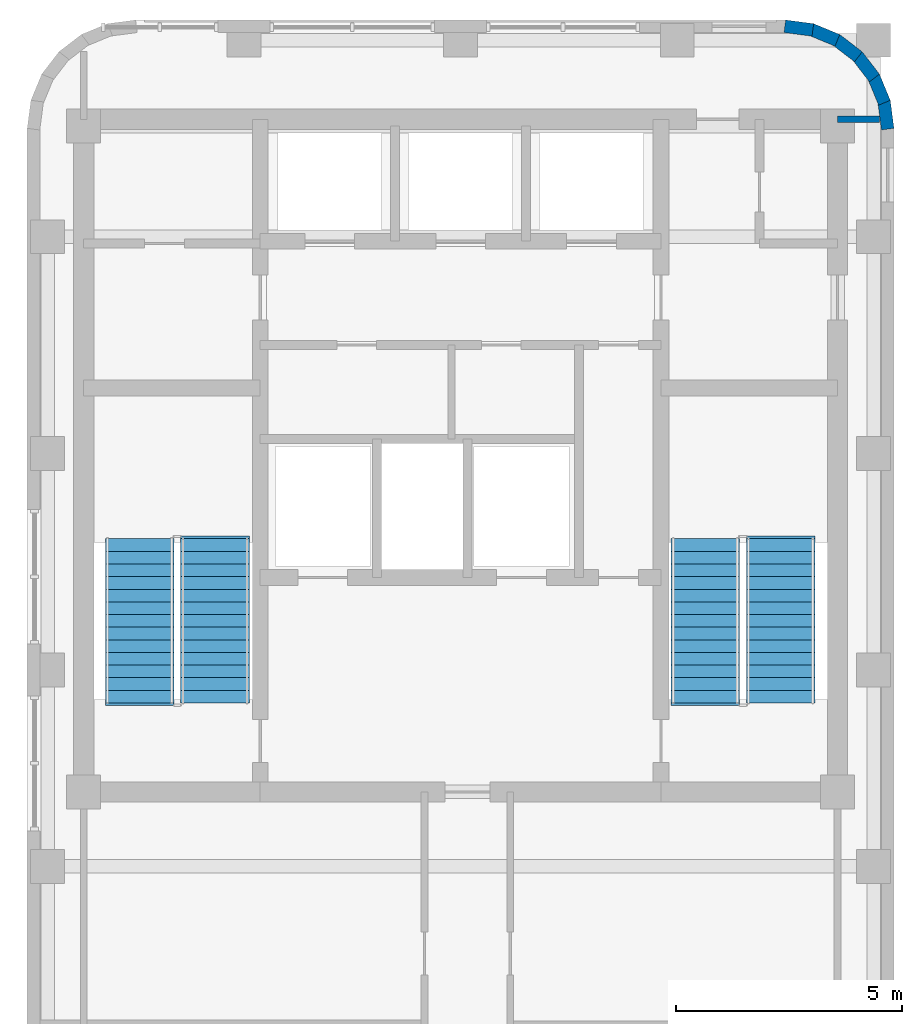
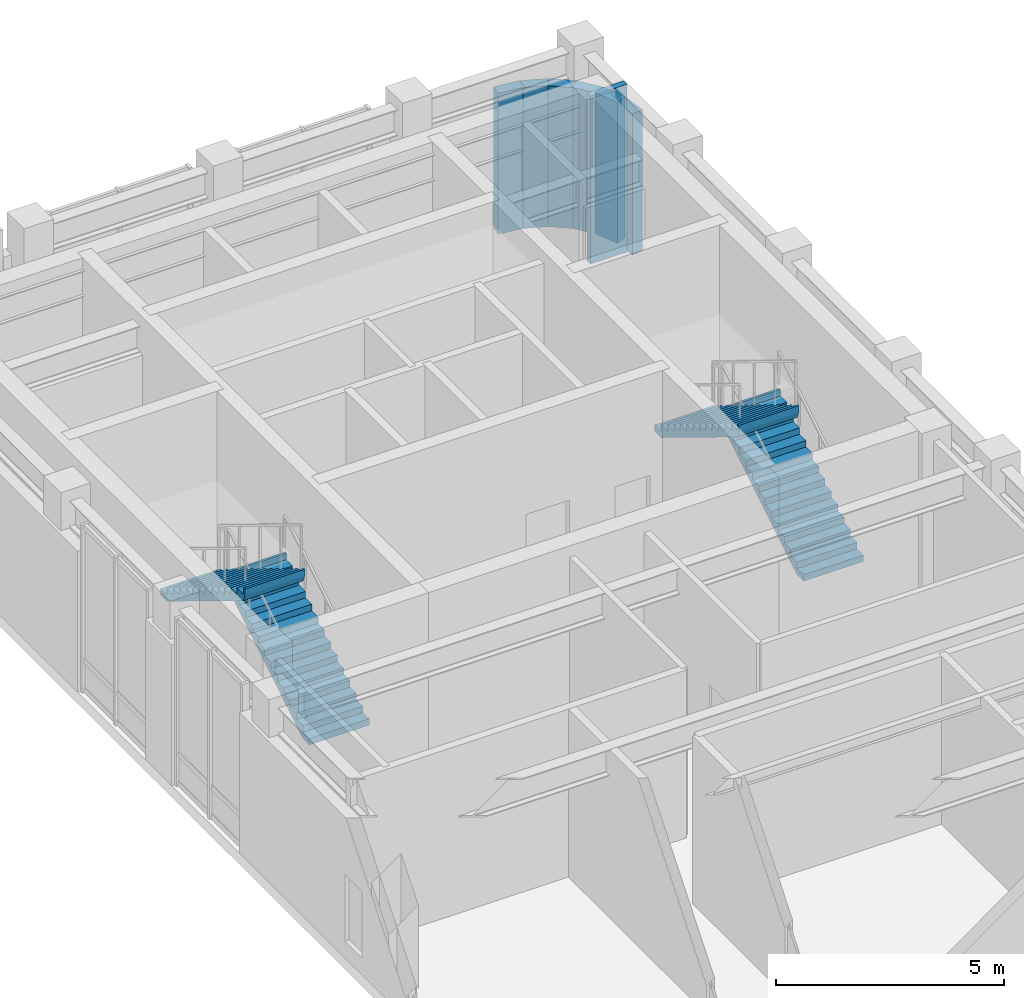
# One storey, part 6 of 8: 7 walls, 4 stair flights, 2 elements without a shape of their own.
"""IFC4 building model written with IfcOpenShell, lengths in metres."""

from ifc_helpers import new_model, si_unit, direction, frame, frame_2d, origin, place, context, subcontext, project, spatial, polyline, rectangle, outline, extrude, material, layer, layer_set, type_object, element, aggregate, save


model = new_model("IFC4")

# Units and contexts
model_context = context("Model", 3, precision=1e-05, world=origin(), true_north=direction((0.0, 1.0)))
body_context = subcontext(model_context, "Body", "Model", "MODEL_VIEW")
ifc_project = project(units=[si_unit("LENGTHUNIT", "METRE"), si_unit("AREAUNIT", "SQUARE_METRE"), si_unit("VOLUMEUNIT", "CUBIC_METRE"), si_unit("PLANEANGLEUNIT", "RADIAN"), si_unit("MASSUNIT", "GRAM", prefix="KILO")], contexts=[model_context])

# Site, building, storey
site_placement = place(None, origin())
site = spatial("IfcSite", under=ifc_project, at=site_placement, CompositionType="ELEMENT")
building_placement = place(site_placement, origin())
building = spatial("IfcBuilding", under=site, at=building_placement, Name="Orvandelia Arch Residences", CompositionType="ELEMENT")
storey_placement = place(building_placement, frame((0.0, 0.0, 291.39990234375)))
storey = spatial("IfcBuildingStorey", under=building, at=storey_placement, Name="L75", CompositionType="ELEMENT", Elevation=291.39990234375)

# Walls
ifc_material_1 = material(Name="Precast concrete C40/50", Category="concrete")
ifc_layer_1 = layer(ifc_material_1, 0.280029296875, Name="Precast concrete C40/50", Category="concrete")
ifc_layer_set_1 = layer_set([ifc_layer_1], Name="Precast concrete C40/50")
wall_type_1 = type_object("IfcWallType", Name="WL-EXT-STONE-280", PredefinedType="STANDARD", material=ifc_layer_set_1)
for number, where, z_axis, x_axis, name in (
    (1, (21.581787109375, 47.861083984375, 0.0), (0.0, 0.0, 1.0), (0.9914410257, -0.130555323746, 0.0), "Coral-Limestone Precast Facade Wall L75-010"),
    (2, (22.16748046875, 47.788818359375, 0.0), (0.0, 0.0, 1.0), (0.924031075431, -0.382317370307, 0.0), "Coral-Limestone Precast Facade Wall L75-011"),
    (3, (22.71484375, 47.5673828125, 0.0), (0.0, 0.0, 1.0), (0.793405610854, -0.608693302629, 0.0), "Coral-Limestone Precast Facade Wall L75-012"),
    (4, (23.18603515625, 47.2119140625, 0.0), (0.0, 0.0, 1.0), (0.608693302629, -0.793405610854, 0.0), "Coral-Limestone Precast Facade Wall L75-013"),
    (5, (23.54931640625, 46.746337890625, 0.0), (0.0, 0.0, 1.0), (0.382317370307, -0.924031075431, 0.0), "Coral-Limestone Precast Facade Wall L75-014"),
    (6, (23.779296875, 46.202880859375, 0.0), (0.0, 0.0, 1.0), (0.130555323746, -0.9914410257, 0.0), "Coral-Limestone Precast Facade Wall L75-015"),
):
    element("IfcWall", number, at=place(storey_placement, frame(where, z_axis=z_axis, x_axis=x_axis)), inside=storey, type_object=wall_type_1, Name=name, PredefinedType="STANDARD", context=body_context, shape_type="SweptSolid", body=[
        extrude(rectangle(XDim=0.62646484375, YDim=0.280029296875, at=frame_2d((0.313232421875, 0.0))), origin(), (0.0, 0.0, 1.0), 3.780029296875),
    ])
ifc_material_2 = material(Name="Acoustic Gypsum Stud Partition")
ifc_layer_2 = layer(ifc_material_2, 0.14990234375, Name="Acoustic Gypsum Stud Partition")
ifc_layer_set_2 = layer_set([ifc_layer_2], Name="Acoustic Gypsum Stud Partition")
wall_type_2 = type_object("IfcWallType", Name="WL-PART-150", PredefinedType="PARTITIONING", material=ifc_layer_set_2)
wall_placement = place(storey_placement, frame((22.75, 45.800048828125, 0.0), z_axis=(0.0, 0.0, 1.0), x_axis=(1.0, 0.0, 0.0)))
element("IfcWall", 7, at=wall_placement, inside=storey, type_object=wall_type_2, Name="Interior Partition Wall WL-L75-SE75N", PredefinedType="PARTITIONING", context=body_context, shape_type="SweptSolid", body=[
    extrude(rectangle(XDim=0.929931640625, YDim=0.14990234375, at=frame_2d((0.46484375, 0.0))), origin(), (0.0, 0.0, 1.0), 4.5),
])

# Stair, stair flights
ifc_material_3 = material(Name="Concrete C40/50", Category="concrete")
stair_type = type_object("IfcStairType", Name="STAIR-RC-DOGLEG", PredefinedType="HALF_TURN_STAIR", material=ifc_material_3)
stair_1_placement = place(storey_placement, origin())
stair_1 = element("IfcStair", 8, at=stair_1_placement, inside=storey, type_object=stair_type, Name="L75 Protected Exit Stair ST-1", PredefinedType="HALF_TURN_STAIR")
stair_flight_type = type_object("IfcStairFlightType", Name="STFLT-RC-1520", PredefinedType="STRAIGHT", material=ifc_material_3)
stair_flight_1_placement = place(storey_placement, frame((8.9599609375, 32.8701171875, 0.0), z_axis=(0.0, 0.0, 1.0), x_axis=(0.0, 1.0, 0.0)))
stair_flight_1 = element("IfcStairFlight", 9, at=stair_flight_1_placement, type_object=stair_flight_type, Name="ST-1 flight 1", NumberOfRisers=14, NumberOfTreads=13, PredefinedType="STRAIGHT", RiserHeight=0.171428571, TreadLength=0.28, context=body_context, shape_type="SweptSolid", body=[
    extrude(outline(polyline([(0.0, 0.0), (0.0, 0.17138671875), (0.280029296875, 0.17138671875), (0.280029296875, 0.3427734375), (0.56005859375, 0.3427734375), (0.56005859375, 0.514404296875), (0.840087890625, 0.514404296875), (0.840087890625, 0.685791015625), (1.1201171875, 0.685791015625), (1.1201171875, 0.857177734375), (1.39990234375, 0.857177734375), (1.39990234375, 1.028564453125), (1.679931640625, 1.028564453125), (1.679931640625, 1.199951171875), (1.9599609375, 1.199951171875), (1.9599609375, 1.371337890625), (2.239990234375, 1.371337890625), (2.239990234375, 1.54296875), (2.52001953125, 1.54296875), (2.52001953125, 1.71435546875), (2.800048828125, 1.71435546875), (2.800048828125, 1.8857421875), (3.080078125, 1.8857421875), (3.080078125, 2.05712890625), (3.360107421875, 2.05712890625), (3.360107421875, 2.228515625), (3.639892578125, 2.228515625), (3.639892578125, 2.39990234375), (3.699951171875, 2.39990234375), (3.699951171875, 2.219970703125), (3.639892578125, 2.052734375), (0.287109375, 0.0), (0.0, 0.0)])), frame((0.0, 0.760009765625, 0.0), z_axis=(0.0, -1.0, 0.0), x_axis=(1.0, 0.0, 0.0)), (0.0, 0.0, 1.0), 1.52001953125),
])
stair_flight_2_placement = place(storey_placement, frame((7.2900390625, 36.510009765625, 2.400146484375), z_axis=(0.0, 0.0, 1.0), x_axis=(0.0, -1.0, 0.0)))
stair_flight_2 = element("IfcStairFlight", 10, at=stair_flight_2_placement, type_object=stair_flight_type, Name="ST-1 flight 2", NumberOfRisers=14, NumberOfTreads=13, PredefinedType="STRAIGHT", RiserHeight=0.171428571, TreadLength=0.28, context=body_context, shape_type="SweptSolid", body=[
    extrude(outline(polyline([(0.0, 0.0), (0.0, 0.17138671875), (0.280029296875, 0.17138671875), (0.280029296875, 0.3427734375), (0.56005859375, 0.3427734375), (0.56005859375, 0.514404296875), (0.840087890625, 0.514404296875), (0.840087890625, 0.685791015625), (1.1201171875, 0.685791015625), (1.1201171875, 0.857177734375), (1.39990234375, 0.857177734375), (1.39990234375, 1.028564453125), (1.679931640625, 1.028564453125), (1.679931640625, 1.199951171875), (1.9599609375, 1.199951171875), (1.9599609375, 1.371337890625), (2.239990234375, 1.371337890625), (2.239990234375, 1.54296875), (2.52001953125, 1.54296875), (2.52001953125, 1.71435546875), (2.800048828125, 1.71435546875), (2.800048828125, 1.8857421875), (3.080078125, 1.8857421875), (3.080078125, 2.05712890625), (3.360107421875, 2.05712890625), (3.360107421875, 2.228515625), (3.639892578125, 2.228515625), (3.639892578125, 2.39990234375), (3.699951171875, 2.39990234375), (3.699951171875, 2.219970703125), (3.639892578125, 2.052734375), (0.287109375, 0.0), (0.0, 0.0)])), frame((0.0, 0.760009765625, 0.0), z_axis=(0.0, -1.0, 0.0), x_axis=(1.0, 0.0, 0.0)), (0.0, 0.0, 1.0), 1.52001953125),
])
aggregate(stair_1, [stair_flight_1, stair_flight_2])

stair_2_placement = place(storey_placement, origin())
stair_2 = element("IfcStair", 11, at=stair_2_placement, inside=storey, type_object=stair_type, Name="L75 Protected Exit Stair ST-2", PredefinedType="HALF_TURN_STAIR")
stair_flight_3_placement = place(storey_placement, frame((21.489990234375, 32.8701171875, 0.0), z_axis=(0.0, 0.0, 1.0), x_axis=(0.0, 1.0, 0.0)))
stair_flight_3 = element("IfcStairFlight", 12, at=stair_flight_3_placement, type_object=stair_flight_type, Name="ST-2 flight 1", NumberOfRisers=14, NumberOfTreads=13, PredefinedType="STRAIGHT", RiserHeight=0.171428571, TreadLength=0.28, context=body_context, shape_type="SweptSolid", body=[
    extrude(outline(polyline([(0.0, 0.0), (0.0, 0.17138671875), (0.280029296875, 0.17138671875), (0.280029296875, 0.3427734375), (0.56005859375, 0.3427734375), (0.56005859375, 0.514404296875), (0.840087890625, 0.514404296875), (0.840087890625, 0.685791015625), (1.1201171875, 0.685791015625), (1.1201171875, 0.857177734375), (1.39990234375, 0.857177734375), (1.39990234375, 1.028564453125), (1.679931640625, 1.028564453125), (1.679931640625, 1.199951171875), (1.9599609375, 1.199951171875), (1.9599609375, 1.371337890625), (2.239990234375, 1.371337890625), (2.239990234375, 1.54296875), (2.52001953125, 1.54296875), (2.52001953125, 1.71435546875), (2.800048828125, 1.71435546875), (2.800048828125, 1.8857421875), (3.080078125, 1.8857421875), (3.080078125, 2.05712890625), (3.360107421875, 2.05712890625), (3.360107421875, 2.228515625), (3.639892578125, 2.228515625), (3.639892578125, 2.39990234375), (3.699951171875, 2.39990234375), (3.699951171875, 2.219970703125), (3.639892578125, 2.052734375), (0.287109375, 0.0), (0.0, 0.0)])), frame((0.0, 0.760009765625, 0.0), z_axis=(0.0, -1.0, 0.0), x_axis=(1.0, 0.0, 0.0)), (0.0, 0.0, 1.0), 1.52001953125),
])
stair_flight_4_placement = place(storey_placement, frame((19.820068359375, 36.510009765625, 2.400146484375), z_axis=(0.0, 0.0, 1.0), x_axis=(0.0, -1.0, 0.0)))
stair_flight_4 = element("IfcStairFlight", 13, at=stair_flight_4_placement, type_object=stair_flight_type, Name="ST-2 flight 2", NumberOfRisers=14, NumberOfTreads=13, PredefinedType="STRAIGHT", RiserHeight=0.171428571, TreadLength=0.28, context=body_context, shape_type="SweptSolid", body=[
    extrude(outline(polyline([(0.0, 0.0), (0.0, 0.17138671875), (0.280029296875, 0.17138671875), (0.280029296875, 0.3427734375), (0.56005859375, 0.3427734375), (0.56005859375, 0.514404296875), (0.840087890625, 0.514404296875), (0.840087890625, 0.685791015625), (1.1201171875, 0.685791015625), (1.1201171875, 0.857177734375), (1.39990234375, 0.857177734375), (1.39990234375, 1.028564453125), (1.679931640625, 1.028564453125), (1.679931640625, 1.199951171875), (1.9599609375, 1.199951171875), (1.9599609375, 1.371337890625), (2.239990234375, 1.371337890625), (2.239990234375, 1.54296875), (2.52001953125, 1.54296875), (2.52001953125, 1.71435546875), (2.800048828125, 1.71435546875), (2.800048828125, 1.8857421875), (3.080078125, 1.8857421875), (3.080078125, 2.05712890625), (3.360107421875, 2.05712890625), (3.360107421875, 2.228515625), (3.639892578125, 2.228515625), (3.639892578125, 2.39990234375), (3.699951171875, 2.39990234375), (3.699951171875, 2.219970703125), (3.639892578125, 2.052734375), (0.287109375, 0.0), (0.0, 0.0)])), frame((0.0, 0.760009765625, 0.0), z_axis=(0.0, -1.0, 0.0), x_axis=(1.0, 0.0, 0.0)), (0.0, 0.0, 1.0), 1.52001953125),
])
aggregate(stair_2, [stair_flight_3, stair_flight_4])

save(model, "model.ifc")
